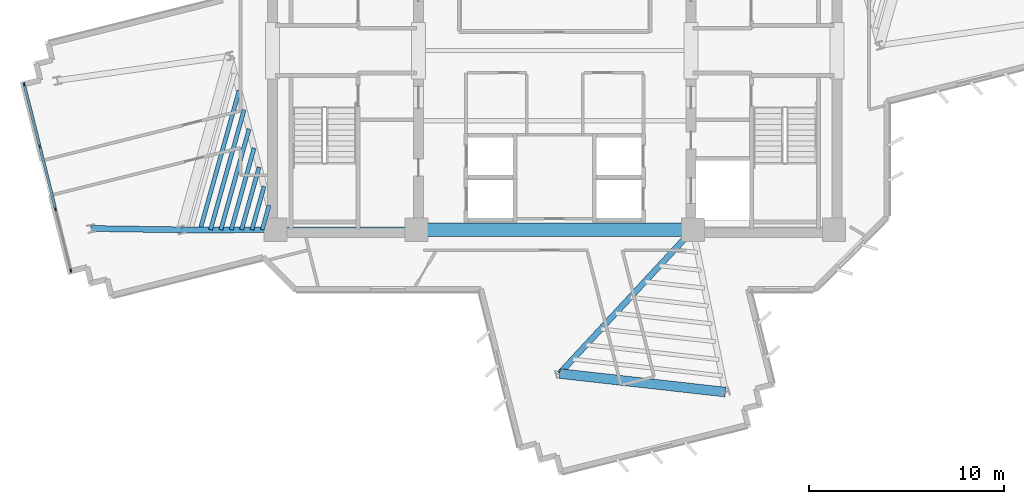
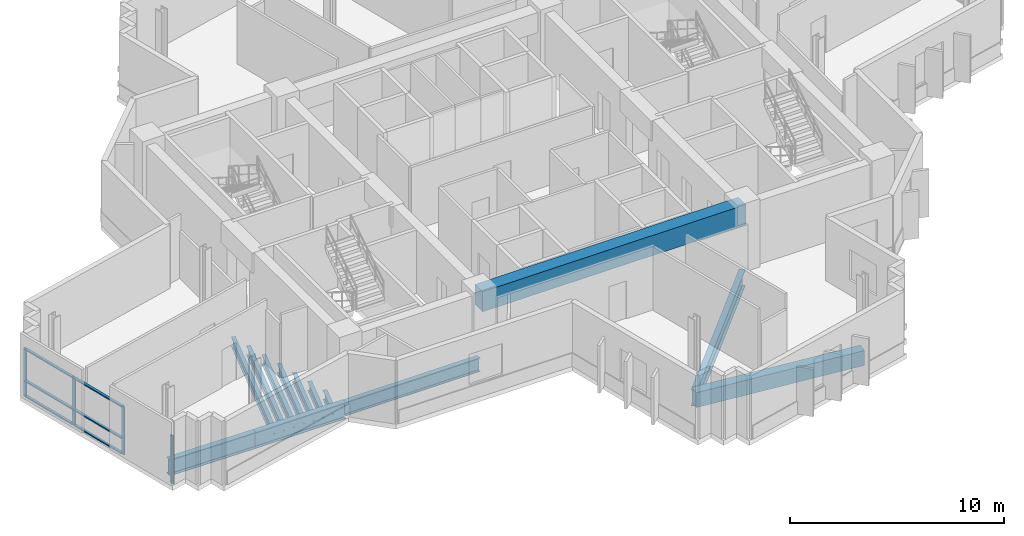
# One storey, part 2 of 13: 13 beams, 10 members, 1 element without a shape of its own.
"""IFC4 building model written with IfcOpenShell, lengths in metres."""

from ifc_helpers import new_model, si_unit, direction, frame, origin, origin_2d, place, context, subcontext, project, spatial, rectangle, i_section, extrude, source, transform, mapped, material, layer, layer_set, material_profile, profile_set, type_object, element, aggregate, save


model = new_model("IFC4")

# Units and contexts
model_context = context("Model", 3, precision=1e-05, world=origin(), true_north=direction((0.0, 1.0)))
body_context = subcontext(model_context, "Body", "Model", "MODEL_VIEW")
ifc_project = project(units=[si_unit("LENGTHUNIT", "METRE"), si_unit("AREAUNIT", "SQUARE_METRE"), si_unit("VOLUMEUNIT", "CUBIC_METRE"), si_unit("PLANEANGLEUNIT", "RADIAN"), si_unit("MASSUNIT", "GRAM", prefix="KILO")], contexts=[model_context])

# Site, building, storey
site_placement = place(None, origin())
site = spatial("IfcSite", under=ifc_project, at=site_placement, CompositionType="ELEMENT")
building_placement = place(site_placement, origin())
building = spatial("IfcBuilding", under=site, at=building_placement, Name="Zahravan Cultural Tower", CompositionType="ELEMENT")
storey_placement = place(building_placement, frame((0.0, 0.0, 186.300048828125)))
storey = spatial("IfcBuildingStorey", under=building, at=storey_placement, Name="L43", CompositionType="ELEMENT", Elevation=186.300048828125)

# Beams
ifc_material_1 = material(Name="Concrete C50/60", Category="concrete")
ifc_material_profile_1 = material_profile(ifc_material_1, rectangle(XDim=0.699951171875, YDim=1.14990234375, at=origin_2d()), Name="RC700X1150")
ifc_profile_set_1 = profile_set([ifc_material_profile_1], Name="Concrete C50/60")
beam_type_1 = type_object("IfcBeamType", Name="BM-LN-RC700X1150", PredefinedType="LINTEL", material=ifc_profile_set_1)
shared_shape_1 = source(origin(), body_context, "Body", "SweptSolid", [
    extrude(rectangle(XDim=0.699951171875, YDim=1.14990234375, at=origin_2d()), origin(), (0.0, 0.0, 1.0), 14.2001953125),
])
beam_1_placement = place(storey_placement, frame((28.89990234375, 17.800048828125, 3.044921875), z_axis=(1.0, 0.0, 0.0), x_axis=(0.0, 1.0, 0.0)))
element("IfcBeam", 1, at=beam_1_placement, inside=storey, type_object=beam_type_1, Name="L43 Beam LN-L43-S", PredefinedType="LINTEL", context=body_context, shape_type="MappedRepresentation", body=[
    mapped(shared_shape_1, transform((0.0, 0.0, 0.0), x_axis=(1.0, 0.0, 0.0), y_axis=(0.0, 1.0, 0.0), z_axis=(0.0, 0.0, 1.0), scale=1.0)),
])
ifc_material_2 = material(Name="Steel ASTM A992 Grade 50", Category="steel")
ifc_material_profile_2 = material_profile(ifc_material_2, i_section(OverallWidth=0.26611328125, OverallDepth=0.780029296875, WebThickness=0.0166015625, FlangeThickness=0.030029296875, FilletRadius=0.01904296875, at=origin_2d()), Name="W30X148")
ifc_profile_set_2 = profile_set([ifc_material_profile_2], Name="Steel ASTM A992 Grade 50")
beam_type_2 = type_object("IfcBeamType", Name="BM-G-W30X148", PredefinedType="BEAM", material=ifc_profile_set_2)
shared_shape_2 = source(origin(), body_context, "Body", "SweptSolid", [
    extrude(i_section(OverallWidth=0.26611328125, OverallDepth=0.780029296875, WebThickness=0.0166015625, FlangeThickness=0.030029296875, FilletRadius=0.01904296875, at=origin_2d()), origin(), (0.0, 0.0, 1.0), 7.25),
])
beam_2_placement = place(storey_placement, frame((21.64990234375, 17.800048828125, -0.670166015625), z_axis=(1.0, 0.0, 0.0), x_axis=(0.0, 1.0, 0.0)))
element("IfcBeam", 2, at=beam_2_placement, inside=storey, type_object=beam_type_2, Name="L43 Beam BG-L43-01", PredefinedType="BEAM", context=body_context, shape_type="MappedRepresentation", body=[
    mapped(shared_shape_2, transform((0.0, 0.0, 0.0), x_axis=(1.0, 0.0, 0.0), y_axis=(0.0, 1.0, 0.0), z_axis=(0.0, 0.0, 1.0), scale=1.0)),
])
ifc_material_profile_3 = material_profile(ifc_material_2, i_section(OverallWidth=0.304931640625, OverallDepth=0.9189453125, WebThickness=0.017333984375, FlangeThickness=0.02783203125, FilletRadius=0.02392578125, at=origin_2d()), Name="W36X170")
ifc_profile_set_3 = profile_set([ifc_material_profile_3], Name="Steel ASTM A992 Grade 50")
beam_type_3 = type_object("IfcBeamType", Name="BM-G-W36X170", PredefinedType="BEAM", material=ifc_profile_set_3)
shared_shape_3 = source(origin(), body_context, "Body", "SweptSolid", [
    extrude(i_section(OverallWidth=0.304931640625, OverallDepth=0.9189453125, WebThickness=0.017333984375, FlangeThickness=0.02783203125, FilletRadius=0.02392578125, at=origin_2d()), origin(), (0.0, 0.0, 1.0), 4.834716796875),
])
beam_3_placement = place(storey_placement, frame((21.64990234375, 17.800048828125, -0.739501953125), z_axis=(-0.99999920313, -0.001262433979, 0.0), x_axis=(0.001262433979, -0.99999920313, 0.0)))
element("IfcBeam", 3, at=beam_3_placement, inside=storey, type_object=beam_type_3, Name="L43 Beam BG-L43-08", PredefinedType="BEAM", context=body_context, shape_type="MappedRepresentation", body=[
    mapped(shared_shape_3, transform((0.0, 0.0, 0.0), x_axis=(1.0, 0.0, 0.0), y_axis=(0.0, 1.0, 0.0), z_axis=(0.0, 0.0, 1.0), scale=1.0)),
])
shared_shape_4 = source(origin(), body_context, "Body", "SweptSolid", [
    extrude(i_section(OverallWidth=0.304931640625, OverallDepth=0.9189453125, WebThickness=0.017333984375, FlangeThickness=0.02783203125, FilletRadius=0.02392578125, at=origin_2d()), origin(), (0.0, 0.0, 1.0), 10.077880859375),
])
beam_4_placement = place(storey_placement, frame((43.10009765625, 17.800048828125, -0.739501953125), z_axis=(-0.680170435587, -0.733054007938, 0.0), x_axis=(0.733054007938, -0.680170435587, 0.0)))
element("IfcBeam", 4, at=beam_4_placement, inside=storey, type_object=beam_type_3, Name="L43 Beam BG-L43-09", PredefinedType="BEAM", context=body_context, shape_type="MappedRepresentation", body=[
    mapped(shared_shape_4, transform((0.0, 0.0, 0.0), x_axis=(1.0, 0.0, 0.0), y_axis=(0.0, 1.0, 0.0), z_axis=(0.0, 0.0, 1.0), scale=1.0)),
])
shared_shape_5 = source(origin(), body_context, "Body", "SweptSolid", [
    extrude(i_section(OverallWidth=0.304931640625, OverallDepth=0.9189453125, WebThickness=0.017333984375, FlangeThickness=0.02783203125, FilletRadius=0.02392578125, at=origin_2d()), origin(), (0.0, 0.0, 1.0), 4.622314453125),
])
beam_5_placement = place(storey_placement, frame((16.815185546875, 17.7939453125, -0.739501953125), z_axis=(-0.999889070044, 0.014894549562, 0.0), x_axis=(-0.014894549562, -0.999889070044, 0.0)))
element("IfcBeam", 5, at=beam_5_placement, inside=storey, type_object=beam_type_3, Name="L43 Beam BG-L43-18", PredefinedType="BEAM", context=body_context, shape_type="MappedRepresentation", body=[
    mapped(shared_shape_5, transform((0.0, 0.0, 0.0), x_axis=(1.0, 0.0, 0.0), y_axis=(0.0, 1.0, 0.0), z_axis=(0.0, 0.0, 1.0), scale=1.0)),
])
ifc_material_profile_4 = material_profile(ifc_material_1, rectangle(XDim=0.5, YDim=0.85009765625, at=origin_2d()), Name="RC500X850")
ifc_profile_set_4 = profile_set([ifc_material_profile_4], Name="Concrete C50/60")
beam_type_4 = type_object("IfcBeamType", Name="BM-SP-RC500X850", PredefinedType="SPANDREL", material=ifc_profile_set_4)
shared_shape_6 = source(origin(), body_context, "Body", "SweptSolid", [
    extrude(rectangle(XDim=0.5, YDim=0.85009765625, at=origin_2d()), origin(), (0.0, 0.0, 1.0), 8.579833984375),
])
beam_6_placement = place(storey_placement, frame((36.245361328125, 10.412353515625, -0.705078125), z_axis=(0.9938040105, -0.11114669907, 0.0), x_axis=(0.11114669907, 0.9938040105, 0.0)))
element("IfcBeam", 6, at=beam_6_placement, inside=storey, type_object=beam_type_4, Name="L43 Beam SP-L43-20", PredefinedType="SPANDREL", context=body_context, shape_type="MappedRepresentation", body=[
    mapped(shared_shape_6, transform((0.0, 0.0, 0.0), x_axis=(1.0, 0.0, 0.0), y_axis=(0.0, 1.0, 0.0), z_axis=(0.0, 0.0, 1.0), scale=1.0)),
])
ifc_material_profile_5 = material_profile(ifc_material_2, i_section(OverallWidth=0.2099609375, OverallDepth=0.532958984375, WebThickness=0.01025390625, FlangeThickness=0.015625, FilletRadius=0.013916015625, at=origin_2d()), Name="W21X62")
ifc_profile_set_5 = profile_set([ifc_material_profile_5], Name="Steel ASTM A992 Grade 50")
beam_type_5 = type_object("IfcBeamType", Name="BM-J-W21X62", PredefinedType="JOIST", material=ifc_profile_set_5)
shared_shape_7 = source(origin(), body_context, "Body", "SweptSolid", [
    extrude(i_section(OverallWidth=0.2099609375, OverallDepth=0.532958984375, WebThickness=0.01025390625, FlangeThickness=0.015625, FilletRadius=0.013916015625, at=origin_2d()), origin(), (0.0, 0.0, 1.0), 1.299072265625),
])
beam_7_placement = place(storey_placement, frame((21.3232421875, 19.050048828125, -0.546630859375), z_axis=(-0.269504444708, -0.962999145525, 0.0), x_axis=(0.962999145525, -0.269504444708, 0.0)))
element("IfcBeam", 7, at=beam_7_placement, inside=storey, type_object=beam_type_5, Name="L43 Beam BJ-L43-26", PredefinedType="JOIST", context=body_context, shape_type="MappedRepresentation", body=[
    mapped(shared_shape_7, transform((0.0, 0.0, 0.0), x_axis=(1.0, 0.0, 0.0), y_axis=(0.0, 1.0, 0.0), z_axis=(0.0, 0.0, 1.0), scale=1.0)),
])
shared_shape_8 = source(origin(), body_context, "Body", "SweptSolid", [
    extrude(i_section(OverallWidth=0.2099609375, OverallDepth=0.532958984375, WebThickness=0.01025390625, FlangeThickness=0.015625, FilletRadius=0.013916015625, at=origin_2d()), origin(), (0.0, 0.0, 1.0), 2.3193359375),
])
beam_8_placement = place(storey_placement, frame((21.06640625, 20.0322265625, -0.546630859375), z_axis=(-0.269462038626, -0.963011012263, 0.0), x_axis=(0.963011012263, -0.269462038626, 0.0)))
element("IfcBeam", 8, at=beam_8_placement, inside=storey, type_object=beam_type_5, Name="L43 Beam BJ-L43-27", PredefinedType="JOIST", context=body_context, shape_type="MappedRepresentation", body=[
    mapped(shared_shape_8, transform((0.0, 0.0, 0.0), x_axis=(1.0, 0.0, 0.0), y_axis=(0.0, 1.0, 0.0), z_axis=(0.0, 0.0, 1.0), scale=1.0)),
])
shared_shape_9 = source(origin(), body_context, "Body", "SweptSolid", [
    extrude(i_section(OverallWidth=0.2099609375, OverallDepth=0.532958984375, WebThickness=0.01025390625, FlangeThickness=0.015625, FilletRadius=0.013916015625, at=origin_2d()), origin(), (0.0, 0.0, 1.0), 3.340087890625),
])
beam_9_placement = place(storey_placement, frame((20.809814453125, 21.014404296875, -0.546630859375), z_axis=(-0.269562146951, -0.962982995141, 0.0), x_axis=(0.962982995141, -0.269562146951, 0.0)))
element("IfcBeam", 9, at=beam_9_placement, inside=storey, type_object=beam_type_5, Name="L43 Beam BJ-L43-28", PredefinedType="JOIST", context=body_context, shape_type="MappedRepresentation", body=[
    mapped(shared_shape_9, transform((0.0, 0.0, 0.0), x_axis=(1.0, 0.0, 0.0), y_axis=(0.0, 1.0, 0.0), z_axis=(0.0, 0.0, 1.0), scale=1.0)),
])
shared_shape_10 = source(origin(), body_context, "Body", "SweptSolid", [
    extrude(i_section(OverallWidth=0.2099609375, OverallDepth=0.532958984375, WebThickness=0.01025390625, FlangeThickness=0.015625, FilletRadius=0.013916015625, at=origin_2d()), origin(), (0.0, 0.0, 1.0), 4.36083984375),
])
beam_10_placement = place(storey_placement, frame((20.552978515625, 21.99658203125, -0.546630859375), z_axis=(-0.269511557673, -0.962997154866, 0.0), x_axis=(0.962997154866, -0.269511557673, 0.0)))
element("IfcBeam", 10, at=beam_10_placement, inside=storey, type_object=beam_type_5, Name="L43 Beam BJ-L43-29", PredefinedType="JOIST", context=body_context, shape_type="MappedRepresentation", body=[
    mapped(shared_shape_10, transform((0.0, 0.0, 0.0), x_axis=(1.0, 0.0, 0.0), y_axis=(0.0, 1.0, 0.0), z_axis=(0.0, 0.0, 1.0), scale=1.0)),
])
shared_shape_11 = source(origin(), body_context, "Body", "SweptSolid", [
    extrude(i_section(OverallWidth=0.2099609375, OverallDepth=0.532958984375, WebThickness=0.01025390625, FlangeThickness=0.015625, FilletRadius=0.013916015625, at=origin_2d()), origin(), (0.0, 0.0, 1.0), 5.3818359375),
])
beam_11_placement = place(storey_placement, frame((20.296142578125, 22.97900390625, -0.546630859375), z_axis=(-0.269510454638, -0.962997463569, 0.0), x_axis=(0.962997463569, -0.269510454638, 0.0)))
element("IfcBeam", 11, at=beam_11_placement, inside=storey, type_object=beam_type_5, Name="L43 Beam BJ-L43-30", PredefinedType="JOIST", context=body_context, shape_type="MappedRepresentation", body=[
    mapped(shared_shape_11, transform((0.0, 0.0, 0.0), x_axis=(1.0, 0.0, 0.0), y_axis=(0.0, 1.0, 0.0), z_axis=(0.0, 0.0, 1.0), scale=1.0)),
])
shared_shape_12 = source(origin(), body_context, "Body", "SweptSolid", [
    extrude(i_section(OverallWidth=0.2099609375, OverallDepth=0.532958984375, WebThickness=0.01025390625, FlangeThickness=0.015625, FilletRadius=0.013916015625, at=origin_2d()), origin(), (0.0, 0.0, 1.0), 6.402099609375),
])
beam_12_placement = place(storey_placement, frame((20.039306640625, 23.961181640625, -0.546630859375), z_axis=(-0.269494133533, -0.963002031146, 0.0), x_axis=(0.963002031146, -0.269494133533, 0.0)))
element("IfcBeam", 12, at=beam_12_placement, inside=storey, type_object=beam_type_5, Name="L43 Beam BJ-L43-31", PredefinedType="JOIST", context=body_context, shape_type="MappedRepresentation", body=[
    mapped(shared_shape_12, transform((0.0, 0.0, 0.0), x_axis=(1.0, 0.0, 0.0), y_axis=(0.0, 1.0, 0.0), z_axis=(0.0, 0.0, 1.0), scale=1.0)),
])
shared_shape_13 = source(origin(), body_context, "Body", "SweptSolid", [
    extrude(i_section(OverallWidth=0.2099609375, OverallDepth=0.532958984375, WebThickness=0.01025390625, FlangeThickness=0.015625, FilletRadius=0.013916015625, at=origin_2d()), origin(), (0.0, 0.0, 1.0), 7.4228515625),
])
beam_13_placement = place(storey_placement, frame((19.78271484375, 24.943359375, -0.546630859375), z_axis=(-0.269504266128, -0.962999195503, 0.0), x_axis=(0.962999195503, -0.269504266128, 0.0)))
element("IfcBeam", 13, at=beam_13_placement, inside=storey, type_object=beam_type_5, Name="L43 Beam BJ-L43-32", PredefinedType="JOIST", context=body_context, shape_type="MappedRepresentation", body=[
    mapped(shared_shape_13, transform((0.0, 0.0, 0.0), x_axis=(1.0, 0.0, 0.0), y_axis=(0.0, 1.0, 0.0), z_axis=(0.0, 0.0, 1.0), scale=1.0)),
])

# Curtain wall, members
ifc_material_3 = material(Name="Anodised bronze-aluminium mullion", Category="aluminium")
ifc_layer = layer(ifc_material_3, 0.179931640625)
ifc_layer_set = layer_set([ifc_layer], Name="Anodised bronze-aluminium mullion")
curtain_wall_type = type_object("IfcCurtainWallType", Name="CW-SYS-3", PredefinedType="USERDEFINED", material=ifc_layer_set)
curtain_wall_placement = place(storey_placement, origin())
curtain_wall = element("IfcCurtainWall", 14, at=curtain_wall_placement, inside=storey, type_object=curtain_wall_type, Name="L43 Recessed Curtain Wall CW-3.2", ObjectType="RECESSED GLAZING", PredefinedType="USERDEFINED")
ifc_material_profile_6 = material_profile(ifc_material_3, rectangle(XDim=0.070068359375, YDim=0.179931640625, at=origin_2d()), Name="AL-M70X180")
ifc_profile_set_6 = profile_set([ifc_material_profile_6], Name="Anodised bronze-aluminium mullion")
member_type_1 = type_object("IfcMemberType", Name="CWM-CW-3", PredefinedType="MULLION", material=ifc_profile_set_6)
shared_shape_14 = source(origin(), body_context, "Body", "SweptSolid", [
    extrude(rectangle(XDim=0.070068359375, YDim=0.179931640625, at=origin_2d()), origin(), (0.0, 0.0, 1.0), 2.739990234375),
])
member_1_placement = place(storey_placement, frame((11.14111328125, 15.697265625, 0.0), z_axis=(0.0, 0.0, 1.0), x_axis=(-0.970040421945, -0.242943573269, 0.0)))
member_1 = element("IfcMember", 15, at=member_1_placement, type_object=member_type_1, Name="CW-3 mullion 1", PredefinedType="MULLION", context=body_context, shape_type="MappedRepresentation", body=[
    mapped(shared_shape_14, transform((0.0, 0.0, 0.0), x_axis=(1.0, 0.0, 0.0), y_axis=(0.0, 1.0, 0.0), z_axis=(0.0, 0.0, 1.0), scale=1.0)),
])
member_2_placement = place(storey_placement, frame((10.346435546875, 18.870849609375, 0.0), z_axis=(0.0, 0.0, 1.0), x_axis=(-0.970040421945, -0.242943573269, 0.0)))
member_2 = element("IfcMember", 16, at=member_2_placement, type_object=member_type_1, Name="CW-3 mullion 2", PredefinedType="MULLION", context=body_context, shape_type="MappedRepresentation", body=[
    mapped(shared_shape_14, transform((0.0, 0.0, 0.0), x_axis=(1.0, 0.0, 0.0), y_axis=(0.0, 1.0, 0.0), z_axis=(0.0, 0.0, 1.0), scale=1.0)),
])
member_3_placement = place(storey_placement, frame((9.54296875, 22.07861328125, 0.0), z_axis=(0.0, 0.0, 1.0), x_axis=(-0.970040421945, -0.242943573269, 0.0)))
member_3 = element("IfcMember", 17, at=member_3_placement, type_object=member_type_1, Name="CW-3 mullion 3", PredefinedType="MULLION", context=body_context, shape_type="MappedRepresentation", body=[
    mapped(shared_shape_14, transform((0.0, 0.0, 0.0), x_axis=(1.0, 0.0, 0.0), y_axis=(0.0, 1.0, 0.0), z_axis=(0.0, 0.0, 1.0), scale=1.0)),
])
member_4_placement = place(storey_placement, frame((8.748291015625, 25.252197265625, 0.0), z_axis=(0.0, 0.0, 1.0), x_axis=(-0.970040421945, -0.242943573269, 0.0)))
member_4 = element("IfcMember", 18, at=member_4_placement, type_object=member_type_1, Name="CW-3 mullion 4", PredefinedType="MULLION", context=body_context, shape_type="MappedRepresentation", body=[
    mapped(shared_shape_14, transform((0.0, 0.0, 0.0), x_axis=(1.0, 0.0, 0.0), y_axis=(0.0, 1.0, 0.0), z_axis=(0.0, 0.0, 1.0), scale=1.0)),
])
ifc_material_profile_7 = material_profile(ifc_material_3, rectangle(XDim=0.139892578125, YDim=0.070068359375, at=origin_2d()), Name="AL-T70X140")
ifc_profile_set_7 = profile_set([ifc_material_profile_7], Name="Anodised bronze-aluminium mullion")
member_type_2 = type_object("IfcMemberType", Name="CWT-CW-3", PredefinedType="USERDEFINED", material=ifc_profile_set_7)
shared_shape_15 = source(origin(), body_context, "Body", "SweptSolid", [
    extrude(rectangle(XDim=0.139892578125, YDim=0.070068359375, at=origin_2d()), origin(), (0.0, 0.0, 1.0), 3.20166015625),
])
member_5_placement = place(storey_placement, frame((9.534423828125, 22.112548828125, 0.034912109375), z_axis=(-0.242948276951, 0.97003924391, 0.0), x_axis=(-0.97003924391, -0.242948276951, 0.0)))
member_5 = element("IfcMember", 19, at=member_5_placement, type_object=member_type_2, Name="CW-3 transom 3.1", ObjectType="TRANSOM", PredefinedType="USERDEFINED", context=body_context, shape_type="MappedRepresentation", body=[
    mapped(shared_shape_15, transform((0.0, 0.0, 0.0), x_axis=(1.0, 0.0, 0.0), y_axis=(0.0, 1.0, 0.0), z_axis=(0.0, 0.0, 1.0), scale=1.0)),
])
member_6_placement = place(storey_placement, frame((9.534423828125, 22.112548828125, 0.89990234375), z_axis=(-0.242948276951, 0.97003924391, 0.0), x_axis=(-0.97003924391, -0.242948276951, 0.0)))
member_6 = element("IfcMember", 20, at=member_6_placement, type_object=member_type_2, Name="CW-3 transom 3.2", ObjectType="TRANSOM", PredefinedType="USERDEFINED", context=body_context, shape_type="MappedRepresentation", body=[
    mapped(shared_shape_15, transform((0.0, 0.0, 0.0), x_axis=(1.0, 0.0, 0.0), y_axis=(0.0, 1.0, 0.0), z_axis=(0.0, 0.0, 1.0), scale=1.0)),
])
member_7_placement = place(storey_placement, frame((9.534423828125, 22.112548828125, 2.704833984375), z_axis=(-0.242948276951, 0.97003924391, 0.0), x_axis=(-0.97003924391, -0.242948276951, 0.0)))
member_7 = element("IfcMember", 21, at=member_7_placement, type_object=member_type_2, Name="CW-3 transom 3.3", ObjectType="TRANSOM", PredefinedType="USERDEFINED", context=body_context, shape_type="MappedRepresentation", body=[
    mapped(shared_shape_15, transform((0.0, 0.0, 0.0), x_axis=(1.0, 0.0, 0.0), y_axis=(0.0, 1.0, 0.0), z_axis=(0.0, 0.0, 1.0), scale=1.0)),
])
shared_shape_16 = source(origin(), body_context, "Body", "SweptSolid", [
    extrude(rectangle(XDim=0.139892578125, YDim=0.070068359375, at=origin_2d()), origin(), (0.0, 0.0, 1.0), 3.236572265625),
])
member_8_placement = place(storey_placement, frame((10.337890625, 18.90478515625, 0.034912109375), z_axis=(-0.242961561991, 0.970035916549, 0.0), x_axis=(-0.970035916549, -0.242961561991, 0.0)))
member_8 = element("IfcMember", 22, at=member_8_placement, type_object=member_type_2, Name="CW-3 transom 2.1", ObjectType="TRANSOM", PredefinedType="USERDEFINED", context=body_context, shape_type="MappedRepresentation", body=[
    mapped(shared_shape_16, transform((0.0, 0.0, 0.0), x_axis=(1.0, 0.0, 0.0), y_axis=(0.0, 1.0, 0.0), z_axis=(0.0, 0.0, 1.0), scale=1.0)),
])
member_9_placement = place(storey_placement, frame((10.337890625, 18.90478515625, 0.89990234375), z_axis=(-0.242961561991, 0.970035916549, 0.0), x_axis=(-0.970035916549, -0.242961561991, 0.0)))
member_9 = element("IfcMember", 23, at=member_9_placement, type_object=member_type_2, Name="CW-3 transom 2.2", ObjectType="TRANSOM", PredefinedType="USERDEFINED", context=body_context, shape_type="MappedRepresentation", body=[
    mapped(shared_shape_16, transform((0.0, 0.0, 0.0), x_axis=(1.0, 0.0, 0.0), y_axis=(0.0, 1.0, 0.0), z_axis=(0.0, 0.0, 1.0), scale=1.0)),
])
member_10_placement = place(storey_placement, frame((10.337890625, 18.90478515625, 2.704833984375), z_axis=(-0.242961561991, 0.970035916549, 0.0), x_axis=(-0.970035916549, -0.242961561991, 0.0)))
member_10 = element("IfcMember", 24, at=member_10_placement, type_object=member_type_2, Name="CW-3 transom 2.3", ObjectType="TRANSOM", PredefinedType="USERDEFINED", context=body_context, shape_type="MappedRepresentation", body=[
    mapped(shared_shape_16, transform((0.0, 0.0, 0.0), x_axis=(1.0, 0.0, 0.0), y_axis=(0.0, 1.0, 0.0), z_axis=(0.0, 0.0, 1.0), scale=1.0)),
])
aggregate(curtain_wall, [member_1, member_2, member_3, member_4, member_8, member_9, member_10, member_5, member_6, member_7])

save(model, "model.ifc")
